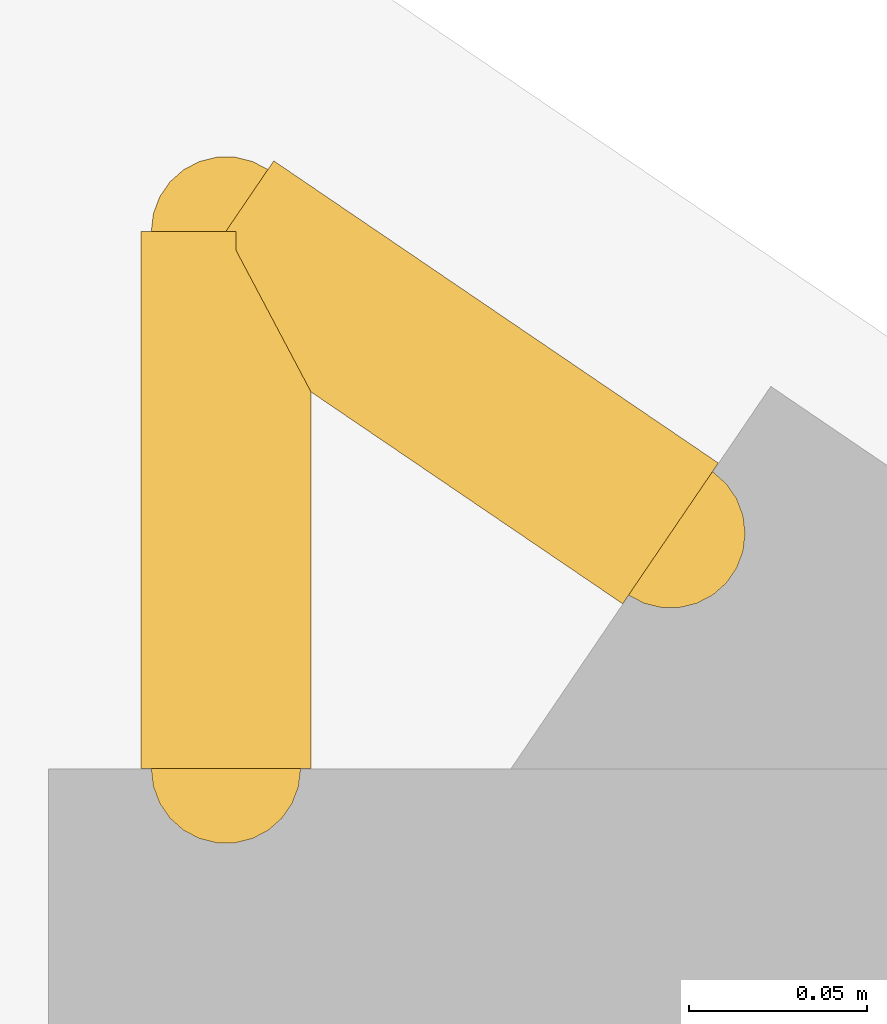
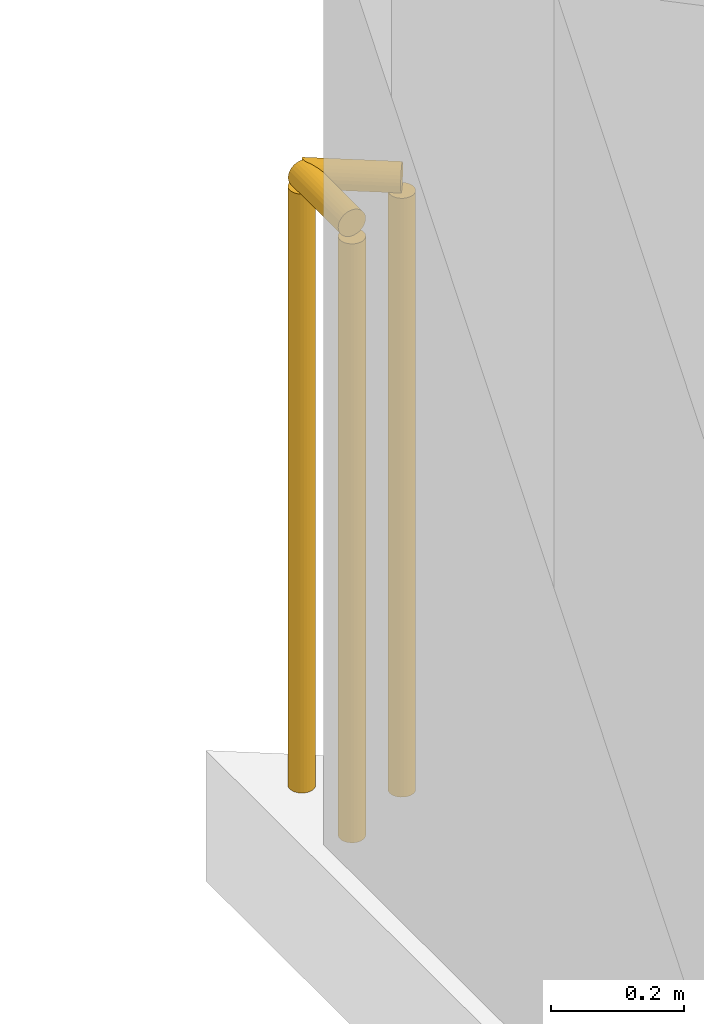
# One storey, part 19 of 20: 2 railings.
"""IFC4 building model written with IfcOpenShell, lengths in metres."""

from ifc_helpers import new_model, si_unit, direction, frame, origin, origin_2d, place, context, subcontext, project, spatial, circle, extrude, material, type_object, element, save


model = new_model("IFC4")

# Units and contexts
model_context = context("Model", 3, precision=1e-05, world=origin(), true_north=direction((0.0, 1.0)))
body_context = subcontext(model_context, "Body", "Model", "MODEL_VIEW")
ifc_project = project(units=[si_unit("LENGTHUNIT", "METRE"), si_unit("AREAUNIT", "SQUARE_METRE"), si_unit("VOLUMEUNIT", "CUBIC_METRE"), si_unit("PLANEANGLEUNIT", "RADIAN"), si_unit("MASSUNIT", "GRAM", prefix="KILO")], contexts=[model_context])

# Site, building, storey
site_placement = place(None, origin())
site = spatial("IfcSite", under=ifc_project, at=site_placement, CompositionType="ELEMENT")
building_placement = place(site_placement, origin())
building = spatial("IfcBuilding", under=site, at=building_placement, Name="Varnakote Quay Hospital", CompositionType="ELEMENT")
storey_placement = place(building_placement, frame((0.0, 0.0, 46.199951171875)))
storey = spatial("IfcBuildingStorey", under=building, at=storey_placement, Name="L11", CompositionType="ELEMENT", Elevation=46.199951171875)

# Railings
ifc_material = material(Name="Anodised aluminium 6063-T6 Bronze", Category="aluminium")
railing_type = type_object("IfcRailingType", Name="RLG-EXT-GUARD-1150", PredefinedType="GUARDRAIL", material=ifc_material)
railing_1_placement = place(storey_placement, frame((2.679931640625, 43.497802734375, 0.0)))
element("IfcRailing", 1, at=railing_1_placement, inside=storey, type_object=railing_type, Name="L11 Slab Edge Perimeter Safety Guard", PredefinedType="GUARDRAIL", context=body_context, shape_type="SweptSolid", body=[
    extrude(circle(Radius=0.02392578125, at=origin_2d()), frame((0.0, 0.0, 1.1259765625), z_axis=(0.0, 1.0, 0.0), x_axis=(-1.0, 0.0, 0.0)), (0.0, 0.0, 1.0), 0.151123046875),
    extrude(circle(Radius=0.02099609375, at=origin_2d()), origin(), (0.0, 0.0, 1.0), 1.101806640625),
    extrude(circle(Radius=0.02099609375, at=origin_2d()), frame((0.0, 0.151123046875, 0.0)), (0.0, 0.0, 1.0), 1.101806640625),
])
railing_2_placement = place(storey_placement, frame((2.679931640625, 43.64892578125, 0.0)))
element("IfcRailing", 2, at=railing_2_placement, inside=storey, type_object=railing_type, Name="L11 Slab Edge Perimeter Safety Guard", PredefinedType="GUARDRAIL", context=body_context, shape_type="SweptSolid", body=[
    extrude(circle(Radius=0.02392578125, at=origin_2d()), frame((0.0, 0.0, 1.1259765625), z_axis=(0.827046660574, -0.562133277109, 0.0), x_axis=(0.562133277109, 0.827046660574, 0.0)), (0.0, 0.0, 1.0), 0.151123046875),
    extrude(circle(Radius=0.02099609375, at=origin_2d()), origin(), (0.0, 0.0, 1.0), 1.101806640625),
    extrude(circle(Radius=0.02099609375, at=origin_2d()), frame((0.125, -0.0849609375, 0.0)), (0.0, 0.0, 1.0), 1.101806640625),
])

save(model, "model.ifc")
